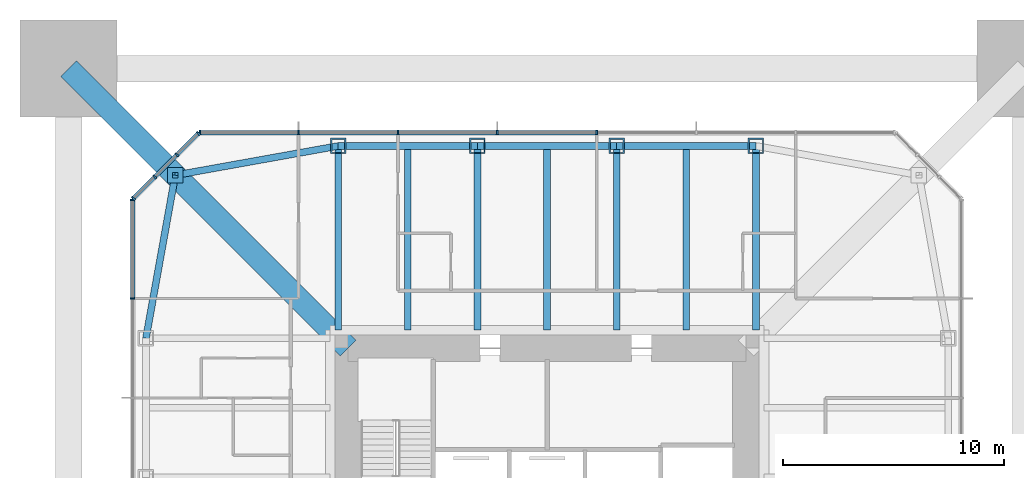
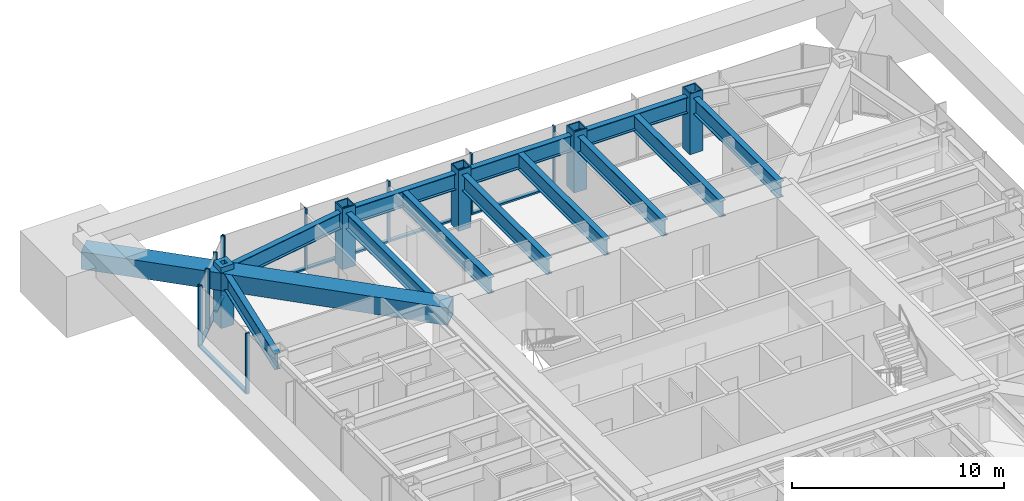
# One storey, part 7 of 15: 26 members, 12 beams, 3 elements without a shape of their own.
"""IFC4 building model written with IfcOpenShell, lengths in metres."""

from ifc_helpers import new_model, si_unit, direction, frame, origin, origin_2d, place, context, subcontext, project, spatial, rectangle, hollow_rectangle, i_section, extrude, material, material_profile, profile_set, type_object, element, aggregate, save


model = new_model("IFC4")

# Units and contexts
model_context = context("Model", 3, precision=1e-05, world=origin(), true_north=direction((0.0, 1.0)))
body_context = subcontext(model_context, "Body", "Model", "MODEL_VIEW")
ifc_project = project(units=[si_unit("LENGTHUNIT", "METRE"), si_unit("AREAUNIT", "SQUARE_METRE"), si_unit("VOLUMEUNIT", "CUBIC_METRE"), si_unit("PLANEANGLEUNIT", "RADIAN"), si_unit("MASSUNIT", "GRAM", prefix="KILO")], contexts=[model_context])

# Site, building, storey
site_placement = place(None, origin())
site = spatial("IfcSite", under=ifc_project, at=site_placement, CompositionType="ELEMENT")
building_placement = place(site_placement, origin())
building = spatial("IfcBuilding", under=site, at=building_placement, Name="Iwan Alto Co-Living Towers", CompositionType="ELEMENT")
storey_placement = place(building_placement, frame((0.0, 0.0, 205.5)))
storey = spatial("IfcBuildingStorey", under=building, at=storey_placement, Name="L56", CompositionType="ELEMENT", Elevation=205.5)

# Curtain wall, members
ifc_material_1 = material(Name="Bronze aluminium unitised frame", Category="aluminium")
curtain_wall_type_1 = type_object("IfcCurtainWallType", Name="CURTAIN WALL CW-A", PredefinedType="NOTDEFINED", material=ifc_material_1)
curtain_wall_1_placement = place(storey_placement, origin())
curtain_wall_1 = element("IfcCurtainWall", 1, at=curtain_wall_1_placement, inside=storey, type_object=curtain_wall_type_1, Name="T1 curtain wall N L56", PredefinedType="NOTDEFINED")
ifc_material_2 = material(Name="Aluminium 6063-T6 bronze anodised", Category="aluminium")
ifc_material_profile_1 = material_profile(ifc_material_2, rectangle(XDim=0.199951171875, YDim=0.080078125, at=origin_2d()), Name="AL 80X200")
ifc_profile_set_1 = profile_set([ifc_material_profile_1], Name="Aluminium 6063-T6 bronze anodised")
member_type_1 = type_object("IfcMemberType", Name="CW-A MULLION 80X200", PredefinedType="MULLION", material=ifc_profile_set_1)
member_1_placement = place(storey_placement, frame((2.25, 18.75, 0.0), z_axis=(0.0, 0.0, 1.0), x_axis=(0.0, -1.0, 0.0)))
member_1 = element("IfcMember", 2, at=member_1_placement, type_object=member_type_1, Name="CW-A mullion 4", PredefinedType="MULLION", context=body_context, shape_type="SweptSolid", body=[
    extrude(rectangle(XDim=0.199951171875, YDim=0.080078125, at=origin_2d()), origin(), (0.0, 0.0, 1.0), 3.5),
])
member_2_placement = place(storey_placement, frame((-2.25, 18.75, 0.0), z_axis=(0.0, 0.0, 1.0), x_axis=(0.0, -1.0, 0.0)))
member_2 = element("IfcMember", 3, at=member_2_placement, type_object=member_type_1, Name="CW-A mullion 5", PredefinedType="MULLION", context=body_context, shape_type="SweptSolid", body=[
    extrude(rectangle(XDim=0.199951171875, YDim=0.080078125, at=origin_2d()), origin(), (0.0, 0.0, 1.0), 3.5),
])
member_3_placement = place(storey_placement, frame((-6.75, 18.75, 0.0), z_axis=(0.0, 0.0, 1.0), x_axis=(0.0, -1.0, 0.0)))
member_3 = element("IfcMember", 4, at=member_3_placement, type_object=member_type_1, Name="CW-A mullion 6", PredefinedType="MULLION", context=body_context, shape_type="SweptSolid", body=[
    extrude(rectangle(XDim=0.199951171875, YDim=0.080078125, at=origin_2d()), origin(), (0.0, 0.0, 1.0), 3.5),
])
member_4_placement = place(storey_placement, frame((-11.25, 18.75, 0.0), z_axis=(0.0, 0.0, 1.0), x_axis=(0.0, -1.0, 0.0)))
member_4 = element("IfcMember", 5, at=member_4_placement, type_object=member_type_1, Name="CW-A mullion 7", PredefinedType="MULLION", context=body_context, shape_type="SweptSolid", body=[
    extrude(rectangle(XDim=0.199951171875, YDim=0.080078125, at=origin_2d()), origin(), (0.0, 0.0, 1.0), 3.5),
])
member_5_placement = place(storey_placement, frame((-15.7099609375, 18.75, 0.0), z_axis=(0.0, 0.0, 1.0), x_axis=(0.0, -1.0, 0.0)))
member_5 = element("IfcMember", 6, at=member_5_placement, type_object=member_type_1, Name="CW-A mullion 8", PredefinedType="MULLION", context=body_context, shape_type="SweptSolid", body=[
    extrude(rectangle(XDim=0.199951171875, YDim=0.080078125, at=origin_2d()), origin(), (0.0, 0.0, 1.0), 3.5),
])

curtain_wall_2_placement = place(storey_placement, origin())
curtain_wall_2 = element("IfcCurtainWall", 7, at=curtain_wall_2_placement, inside=storey, type_object=curtain_wall_type_1, Name="T1 curtain wall W L56", PredefinedType="NOTDEFINED")
member_6_placement = place(storey_placement, frame((-18.75, 15.7099609375, 0.0), z_axis=(0.0, 0.0, 1.0), x_axis=(1.0, 0.0, 0.0)))
member_6 = element("IfcMember", 8, at=member_6_placement, type_object=member_type_1, Name="CW-A mullion 1", PredefinedType="MULLION", context=body_context, shape_type="SweptSolid", body=[
    extrude(rectangle(XDim=0.199951171875, YDim=0.080078125, at=origin_2d()), origin(), (0.0, 0.0, 1.0), 3.5),
])
member_7_placement = place(storey_placement, frame((-18.75, 11.25, 0.0), z_axis=(0.0, 0.0, 1.0), x_axis=(1.0, 0.0, 0.0)))
member_7 = element("IfcMember", 9, at=member_7_placement, type_object=member_type_1, Name="CW-A mullion 2", PredefinedType="MULLION", context=body_context, shape_type="SweptSolid", body=[
    extrude(rectangle(XDim=0.199951171875, YDim=0.080078125, at=origin_2d()), origin(), (0.0, 0.0, 1.0), 3.5),
])

# Member
ifc_material_3 = material(Name="Aluminium 6063-T6 bronze anodised", Category="aluminium")
ifc_material_profile_2 = material_profile(ifc_material_3, rectangle(XDim=0.199951171875, YDim=0.10009765625, at=origin_2d()), Name="AL 200X100")
ifc_profile_set_2 = profile_set([ifc_material_profile_2], Name="Aluminium 6063-T6 bronze anodised")
member_type_2 = type_object("IfcMemberType", Name="CW-A TRANSOM 200X100", PredefinedType="USERDEFINED", material=ifc_profile_set_2)
member_8_placement = place(storey_placement, frame((2.2099609375, 18.75, 0.050048828125), z_axis=(-1.0, 0.0, 0.0), x_axis=(0.0, -1.0, 0.0)))
member_8 = element("IfcMember", 10, at=member_8_placement, type_object=member_type_2, Name="CW-A transom 4.1", ObjectType="TRANSOM", PredefinedType="USERDEFINED", context=body_context, shape_type="SweptSolid", body=[
    extrude(rectangle(XDim=0.199951171875, YDim=0.10009765625, at=origin_2d()), origin(), (0.0, 0.0, 1.0), 4.419921875),
])

member_9_placement = place(storey_placement, frame((-2.2900390625, 18.75, 0.050048828125), z_axis=(-1.0, 0.0, 0.0), x_axis=(0.0, -1.0, 0.0)))
member_9 = element("IfcMember", 11, at=member_9_placement, type_object=member_type_2, Name="CW-A transom 5.1", ObjectType="TRANSOM", PredefinedType="USERDEFINED", context=body_context, shape_type="SweptSolid", body=[
    extrude(rectangle(XDim=0.199951171875, YDim=0.10009765625, at=origin_2d()), origin(), (0.0, 0.0, 1.0), 4.419921875),
])

member_10_placement = place(storey_placement, frame((-6.7900390625, 18.75, 0.050048828125), z_axis=(-1.0, 0.0, 0.0), x_axis=(0.0, -1.0, 0.0)))
member_10 = element("IfcMember", 12, at=member_10_placement, type_object=member_type_2, Name="CW-A transom 6.1", ObjectType="TRANSOM", PredefinedType="USERDEFINED", context=body_context, shape_type="SweptSolid", body=[
    extrude(rectangle(XDim=0.199951171875, YDim=0.10009765625, at=origin_2d()), origin(), (0.0, 0.0, 1.0), 4.419921875),
])

member_11_placement = place(storey_placement, frame((-11.2900390625, 18.75, 0.050048828125), z_axis=(-1.0, 0.0, 0.0), x_axis=(0.0, -1.0, 0.0)))
member_11 = element("IfcMember", 13, at=member_11_placement, type_object=member_type_2, Name="CW-A transom 7.1", ObjectType="TRANSOM", PredefinedType="USERDEFINED", context=body_context, shape_type="SweptSolid", body=[
    extrude(rectangle(XDim=0.199951171875, YDim=0.10009765625, at=origin_2d()), origin(), (0.0, 0.0, 1.0), 4.3798828125),
])

aggregate(curtain_wall_1, [member_1, member_2, member_3, member_4, member_5, member_8, member_9, member_10, member_11])

member_12_placement = place(storey_placement, frame((-18.75, 15.669921875, 0.050048828125), z_axis=(0.0, -1.0, 0.0), x_axis=(1.0, 0.0, 0.0)))
member_12 = element("IfcMember", 14, at=member_12_placement, type_object=member_type_2, Name="CW-A transom 1.1", ObjectType="TRANSOM", PredefinedType="USERDEFINED", context=body_context, shape_type="SweptSolid", body=[
    extrude(rectangle(XDim=0.199951171875, YDim=0.10009765625, at=origin_2d()), origin(), (0.0, 0.0, 1.0), 4.3798828125),
])

aggregate(curtain_wall_2, [member_6, member_7, member_12])

# Curtain wall, members
ifc_material_4 = material(Name="Bronze aluminium unitised frame", Category="aluminium")
curtain_wall_type_2 = type_object("IfcCurtainWallType", Name="CURTAIN WALL CW-B", PredefinedType="NOTDEFINED", material=ifc_material_4)
curtain_wall_3_placement = place(storey_placement, origin())
curtain_wall_3 = element("IfcCurtainWall", 15, at=curtain_wall_3_placement, inside=storey, type_object=curtain_wall_type_2, Name="T1 chamfer curtain wall NW L56", PredefinedType="NOTDEFINED")
ifc_material_5 = material(Name="Aluminium 6063-T6 bronze anodised", Category="aluminium")
ifc_material_profile_3 = material_profile(ifc_material_5, rectangle(XDim=0.199951171875, YDim=0.080078125, at=origin_2d()), Name="AL 80X200")
ifc_profile_set_3 = profile_set([ifc_material_profile_3], Name="Aluminium 6063-T6 bronze anodised")
member_type_3 = type_object("IfcMemberType", Name="CW-B MULLION 80X200", PredefinedType="MULLION", material=ifc_profile_set_3)
member_13_placement = place(storey_placement, frame((-15.7783203125, 18.7216796875, 0.0), z_axis=(0.0, 0.0, 1.0), x_axis=(0.707106781187, -0.707106781187, 0.0)))
member_13 = element("IfcMember", 16, at=member_13_placement, type_object=member_type_3, Name="CW-B mullion 1", PredefinedType="MULLION", context=body_context, shape_type="SweptSolid", body=[
    extrude(rectangle(XDim=0.199951171875, YDim=0.080078125, at=origin_2d()), origin(), (0.0, 0.0, 1.0), 3.5),
])
member_14_placement = place(storey_placement, frame((-16.75, 17.75, 0.0), z_axis=(0.0, 0.0, 1.0), x_axis=(0.707106781187, -0.707106781187, 0.0)))
member_14 = element("IfcMember", 17, at=member_14_placement, type_object=member_type_3, Name="CW-B mullion 2", PredefinedType="MULLION", context=body_context, shape_type="SweptSolid", body=[
    extrude(rectangle(XDim=0.199951171875, YDim=0.080078125, at=origin_2d()), origin(), (0.0, 0.0, 1.0), 3.5),
])
member_15_placement = place(storey_placement, frame((-17.75, 16.75, 0.0), z_axis=(0.0, 0.0, 1.0), x_axis=(0.707106781187, -0.707106781187, 0.0)))
member_15 = element("IfcMember", 18, at=member_15_placement, type_object=member_type_3, Name="CW-B mullion 3", PredefinedType="MULLION", context=body_context, shape_type="SweptSolid", body=[
    extrude(rectangle(XDim=0.199951171875, YDim=0.080078125, at=origin_2d()), origin(), (0.0, 0.0, 1.0), 3.5),
])
member_16_placement = place(storey_placement, frame((-18.7216796875, 15.7783203125, 0.0), z_axis=(0.0, 0.0, 1.0), x_axis=(0.707106781187, -0.707106781187, 0.0)))
member_16 = element("IfcMember", 19, at=member_16_placement, type_object=member_type_3, Name="CW-B mullion 4", PredefinedType="MULLION", context=body_context, shape_type="SweptSolid", body=[
    extrude(rectangle(XDim=0.199951171875, YDim=0.080078125, at=origin_2d()), origin(), (0.0, 0.0, 1.0), 3.5),
])
ifc_material_6 = material(Name="Aluminium 6063-T6 bronze anodised", Category="aluminium")
ifc_material_profile_4 = material_profile(ifc_material_6, rectangle(XDim=0.199951171875, YDim=0.10009765625, at=origin_2d()), Name="AL 200X100")
ifc_profile_set_4 = profile_set([ifc_material_profile_4], Name="Aluminium 6063-T6 bronze anodised")
member_type_4 = type_object("IfcMemberType", Name="CW-B TRANSOM 200X100", PredefinedType="USERDEFINED", material=ifc_profile_set_4)
member_17_placement = place(storey_placement, frame((-15.806640625, 18.693359375, 0.050048828125), z_axis=(-0.707106781187, -0.707106781187, 0.0), x_axis=(0.707106781187, -0.707106781187, 0.0)))
member_17 = element("IfcMember", 20, at=member_17_placement, type_object=member_type_4, Name="CW-B transom 1.1", ObjectType="TRANSOM", PredefinedType="USERDEFINED", context=body_context, shape_type="SweptSolid", body=[
    extrude(rectangle(XDim=0.199951171875, YDim=0.10009765625, at=origin_2d()), origin(), (0.0, 0.0, 1.0), 1.2939453125),
])
member_18_placement = place(storey_placement, frame((-16.7783203125, 17.7216796875, 0.050048828125), z_axis=(-0.707106781187, -0.707106781187, 0.0), x_axis=(0.707106781187, -0.707106781187, 0.0)))
member_18 = element("IfcMember", 21, at=member_18_placement, type_object=member_type_4, Name="CW-B transom 2.1", ObjectType="TRANSOM", PredefinedType="USERDEFINED", context=body_context, shape_type="SweptSolid", body=[
    extrude(rectangle(XDim=0.199951171875, YDim=0.10009765625, at=origin_2d()), origin(), (0.0, 0.0, 1.0), 1.334228515625),
])
member_19_placement = place(storey_placement, frame((-17.7783203125, 16.7216796875, 0.050048828125), z_axis=(-0.707106781187, -0.707106781187, 0.0), x_axis=(0.707106781187, -0.707106781187, 0.0)))
member_19 = element("IfcMember", 22, at=member_19_placement, type_object=member_type_4, Name="CW-B transom 3.1", ObjectType="TRANSOM", PredefinedType="USERDEFINED", context=body_context, shape_type="SweptSolid", body=[
    extrude(rectangle(XDim=0.199951171875, YDim=0.10009765625, at=origin_2d()), origin(), (0.0, 0.0, 1.0), 1.2939453125),
])
aggregate(curtain_wall_3, [member_13, member_14, member_15, member_16, member_17, member_18, member_19])

# Beams
ifc_material_7 = material(Name="Steel ASTM A992 Gr 50", Category="steel")
ifc_material_profile_5 = material_profile(ifc_material_7, i_section(OverallWidth=0.307373046875, OverallDepth=0.927001953125, WebThickness=0.01953125, FlangeThickness=0.031982421875, at=origin_2d()), Name="W36X194")
ifc_profile_set_5 = profile_set([ifc_material_profile_5], Name="Steel ASTM A992 Gr 50")
beam_type_1 = type_object("IfcBeamType", Name="T1 BELT TRUSS CHORD W36X194", PredefinedType="BEAM", material=ifc_profile_set_5)
beam_1_placement = place(storey_placement, frame((9.449951171875, 18.14990234375, 2.736328125), z_axis=(-1.0, 0.0, 0.0), x_axis=(0.0, -1.0, 0.0)))
element("IfcBeam", 23, at=beam_1_placement, inside=storey, type_object=beam_type_1, Name="T1 edge beam N1 L57", PredefinedType="BEAM", context=body_context, shape_type="SweptSolid", body=[
    extrude(i_section(OverallWidth=0.307373046875, OverallDepth=0.927001953125, WebThickness=0.01953125, FlangeThickness=0.031982421875, at=origin_2d()), origin(), (0.0, 0.0, 1.0), 6.300048828125),
])
beam_2_placement = place(storey_placement, frame((3.14990234375, 18.14990234375, 2.736328125), z_axis=(-1.0, 0.0, 0.0), x_axis=(0.0, -1.0, 0.0)))
element("IfcBeam", 24, at=beam_2_placement, inside=storey, type_object=beam_type_1, Name="T1 edge beam N2 L57", PredefinedType="BEAM", context=body_context, shape_type="SweptSolid", body=[
    extrude(i_section(OverallWidth=0.307373046875, OverallDepth=0.927001953125, WebThickness=0.01953125, FlangeThickness=0.031982421875, at=origin_2d()), origin(), (0.0, 0.0, 1.0), 6.2998046875),
])
beam_3_placement = place(storey_placement, frame((-3.14990234375, 18.14990234375, 2.736328125), z_axis=(-1.0, 0.0, 0.0), x_axis=(0.0, -1.0, 0.0)))
element("IfcBeam", 25, at=beam_3_placement, inside=storey, type_object=beam_type_1, Name="T1 edge beam N3 L57", PredefinedType="BEAM", context=body_context, shape_type="SweptSolid", body=[
    extrude(i_section(OverallWidth=0.307373046875, OverallDepth=0.927001953125, WebThickness=0.01953125, FlangeThickness=0.031982421875, at=origin_2d()), origin(), (0.0, 0.0, 1.0), 6.300048828125),
])
for number, where, z_axis, x_axis, name in (
    (26, (-9.449951171875, 18.14990234375, 2.736328125), (-0.98426263553, -0.17671181143, 0.0), (0.17671181143, -0.98426263553, 0.0), "T1 edge beam N4 L57"),
    (27, (-16.82568359375, 16.82568359375, 2.736328125), (-0.17671181143, -0.98426263553, 0.0), (0.98426263553, -0.17671181143, 0.0), "T1 edge beam CNW L57"),
):
    element("IfcBeam", number, at=place(storey_placement, frame(where, z_axis=z_axis, x_axis=x_axis)), inside=storey, type_object=beam_type_1, Name=name, PredefinedType="BEAM", context=body_context, shape_type="SweptSolid", body=[
        extrude(i_section(OverallWidth=0.307373046875, OverallDepth=0.927001953125, WebThickness=0.01953125, FlangeThickness=0.031982421875, at=origin_2d()), origin(), (0.0, 0.0, 1.0), 7.49365234375),
    ])

# Members
ifc_material_8 = material(Name="Steel ASTM A36", Category="steel")
ifc_material_profile_6 = material_profile(ifc_material_8, hollow_rectangle(XDim=0.699951171875, YDim=0.699951171875, WallThickness=0.219970703125, at=origin_2d()), Name="BOX 700X700X220")
ifc_profile_set_6 = profile_set([ifc_material_profile_6], Name="Steel ASTM A36")
member_type_5 = type_object("IfcMemberType", Name="T1 HEAVY RING POST AT STEP BOX 700X700X220", PredefinedType="MEMBER", material=ifc_profile_set_6)
member_20_placement = place(storey_placement, frame((-16.82568359375, 16.82568359375, 0.0), z_axis=(0.0, 0.0, 1.0), x_axis=(1.0, 0.0, 0.0)))
element("IfcMember", 28, at=member_20_placement, inside=storey, type_object=member_type_5, Name="T1 ring post at step CNW L56", PredefinedType="MEMBER", context=body_context, shape_type="SweptSolid", body=[
    extrude(hollow_rectangle(XDim=0.699951171875, YDim=0.699951171875, WallThickness=0.219970703125, at=origin_2d()), origin(), (0.0, 0.0, 1.0), 3.5),
])
ifc_material_9 = material(Name="Steel ASTM A572 Gr 50", Category="steel")
ifc_material_profile_7 = material_profile(ifc_material_9, hollow_rectangle(XDim=1.0, YDim=1.0, WallThickness=0.070068359375, at=origin_2d()), Name="BOX 1000X1000X70")
ifc_profile_set_7 = profile_set([ifc_material_profile_7], Name="Steel ASTM A572 Gr 50")
member_type_6 = type_object("IfcMemberType", Name="T1 OUTRIGGER CHORD BOX 1000X1000X70", PredefinedType="CHORD", material=ifc_profile_set_7)
member_21_placement = place(storey_placement, frame((-9.0, 9.0, 2.699951171875), z_axis=(-0.707106781187, 0.707106781187, 0.0), x_axis=(-0.707106781187, -0.707106781187, 0.0)))
element("IfcMember", 29, at=member_21_placement, inside=storey, type_object=member_type_6, Name="T1 outrigger NW L57 bottom chord 1", PredefinedType="CHORD", context=body_context, shape_type="SweptSolid", body=[
    extrude(hollow_rectangle(XDim=1.0, YDim=1.0, WallThickness=0.070068359375, at=origin_2d()), origin(), (0.0, 0.0, 1.0), 11.067138671875),
])
member_22_placement = place(storey_placement, frame((-16.82568359375, 16.82568359375, 2.699951171875), z_axis=(-0.707106781187, 0.707106781187, 0.0), x_axis=(-0.707106781187, -0.707106781187, 0.0)))
element("IfcMember", 30, at=member_22_placement, inside=storey, type_object=member_type_6, Name="T1 outrigger NW L57 bottom chord 2", PredefinedType="CHORD", context=body_context, shape_type="SweptSolid", body=[
    extrude(hollow_rectangle(XDim=1.0, YDim=1.0, WallThickness=0.070068359375, at=origin_2d()), origin(), (0.0, 0.0, 1.0), 6.822509765625),
])

# Beams
ifc_material_10 = material(Name="Steel ASTM A992 Gr 50", Category="steel")
ifc_material_profile_8 = material_profile(ifc_material_10, i_section(OverallWidth=0.307373046875, OverallDepth=0.927001953125, WebThickness=0.01953125, FlangeThickness=0.031982421875, at=origin_2d()), Name="W36X194")
ifc_profile_set_8 = profile_set([ifc_material_profile_8], Name="Steel ASTM A992 Gr 50")
beam_type_2 = type_object("IfcBeamType", Name="T1 RADIAL BEAM W36X194", PredefinedType="BEAM", material=ifc_profile_set_8)
for number, where, z_axis, x_axis, name in (
    (31, (9.449951171875, 18.14990234375, 2.736328125), (0.0, -1.0, 0.0), (1.0, 0.0, 0.0), "T1 radial beam N1 L57"),
    (32, (3.14990234375, 18.14990234375, 2.736328125), (0.0, -1.0, 0.0), (1.0, 0.0, 0.0), "T1 radial beam N2 L57"),
    (33, (-3.14990234375, 18.14990234375, 2.736328125), (0.0, -1.0, 0.0), (1.0, 0.0, 0.0), "T1 radial beam N3 L57"),
    (34, (-9.449951171875, 18.14990234375, 2.736328125), (0.0, -1.0, 0.0), (1.0, 0.0, 0.0), "T1 radial beam N4 L57"),
):
    element("IfcBeam", number, at=place(storey_placement, frame(where, z_axis=z_axis, x_axis=x_axis)), inside=storey, type_object=beam_type_2, Name=name, PredefinedType="BEAM", context=body_context, shape_type="SweptSolid", body=[
        extrude(i_section(OverallWidth=0.307373046875, OverallDepth=0.927001953125, WebThickness=0.01953125, FlangeThickness=0.031982421875, at=origin_2d()), origin(), (0.0, 0.0, 1.0), 8.33154296875),
    ])

# Members
ifc_material_11 = material(Name="Steel ASTM A572 Gr 50", Category="steel")
ifc_material_profile_9 = material_profile(ifc_material_11, hollow_rectangle(XDim=0.699951171875, YDim=0.699951171875, WallThickness=0.06005859375, at=origin_2d()), Name="BOX 700X700X60")
ifc_profile_set_9 = profile_set([ifc_material_profile_9], Name="Steel ASTM A572 Gr 50")
member_type_7 = type_object("IfcMemberType", Name="T1 RING POST AT STEP BOX 700X700X60", PredefinedType="MEMBER", material=ifc_profile_set_9)
for number, where, z_axis, x_axis, name in (
    (35, (9.449951171875, 18.14990234375, 0.0), (0.0, 0.0, 1.0), (1.0, 0.0, 0.0), "T1 ring post at step N1 L56"),
    (36, (3.14990234375, 18.14990234375, 0.0), (0.0, 0.0, 1.0), (1.0, 0.0, 0.0), "T1 ring post at step N2 L56"),
    (37, (-3.14990234375, 18.14990234375, 0.0), (0.0, 0.0, 1.0), (1.0, 0.0, 0.0), "T1 ring post at step N3 L56"),
    (38, (-9.449951171875, 18.14990234375, 0.0), (0.0, 0.0, 1.0), (1.0, 0.0, 0.0), "T1 ring post at step N4 L56"),
):
    element("IfcMember", number, at=place(storey_placement, frame(where, z_axis=z_axis, x_axis=x_axis)), inside=storey, type_object=member_type_7, Name=name, PredefinedType="MEMBER", context=body_context, shape_type="SweptSolid", body=[
        extrude(hollow_rectangle(XDim=0.699951171875, YDim=0.699951171875, WallThickness=0.06005859375, at=origin_2d()), origin(), (0.0, 0.0, 1.0), 3.5),
    ])

# Beams
ifc_material_12 = material(Name="Steel ASTM A992 Gr 50", Category="steel")
ifc_material_profile_10 = material_profile(ifc_material_12, i_section(OverallWidth=0.307373046875, OverallDepth=0.927001953125, WebThickness=0.01953125, FlangeThickness=0.031982421875, at=origin_2d()), Name="W36X194")
ifc_profile_set_10 = profile_set([ifc_material_profile_10], Name="Steel ASTM A992 Gr 50")
beam_type_3 = type_object("IfcBeamType", Name="T1 SECONDARY BEAM W36X194", PredefinedType="JOIST", material=ifc_profile_set_10)
for number, where, z_axis, x_axis, name in (
    (39, (6.300048828125, 18.14990234375, 2.736328125), (0.0, -1.0, 0.0), (1.0, 0.0, 0.0), "T1 secondary beam N1 L57"),
    (40, (0.0, 18.14990234375, 2.736328125), (0.0, -1.0, 0.0), (1.0, 0.0, 0.0), "T1 secondary beam N2 L57"),
    (41, (-6.300048828125, 18.14990234375, 2.736328125), (0.0, -1.0, 0.0), (1.0, 0.0, 0.0), "T1 secondary beam N3 L57"),
):
    element("IfcBeam", number, at=place(storey_placement, frame(where, z_axis=z_axis, x_axis=x_axis)), inside=storey, type_object=beam_type_3, Name=name, PredefinedType="JOIST", context=body_context, shape_type="SweptSolid", body=[
        extrude(i_section(OverallWidth=0.307373046875, OverallDepth=0.927001953125, WebThickness=0.01953125, FlangeThickness=0.031982421875, at=origin_2d()), origin(), (0.0, 0.0, 1.0), 8.33154296875),
    ])

save(model, "model.ifc")
